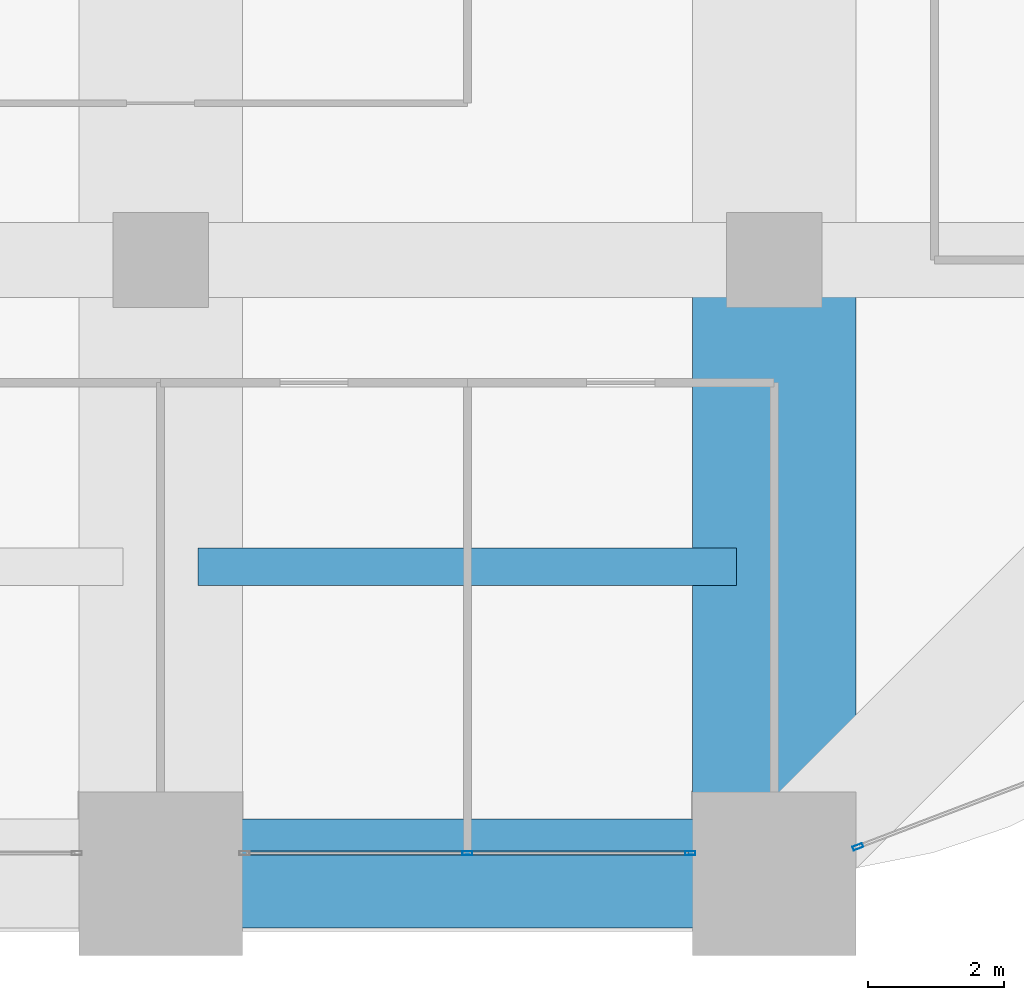
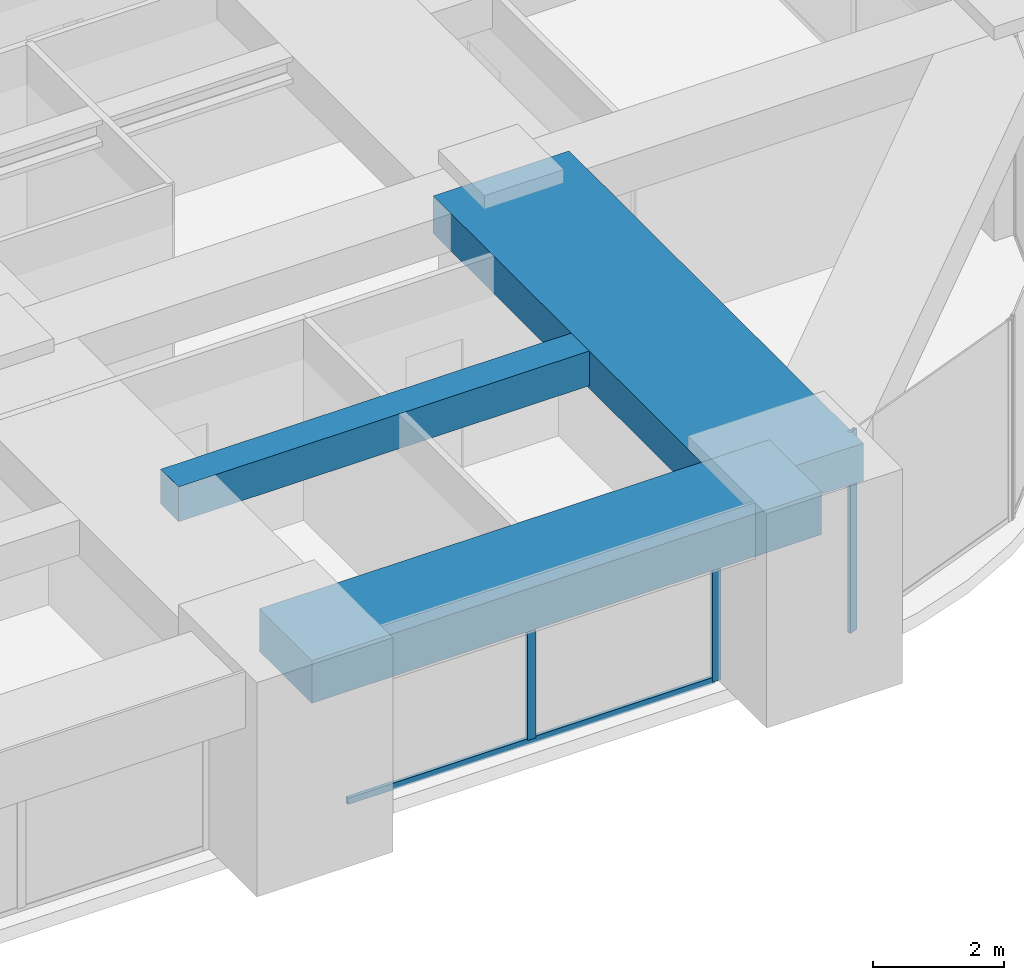
# One storey, part 14 of 35: 4 members, 3 beams, 2 elements without a shape of their own.
"""IFC4 building model written with IfcOpenShell, lengths in metres."""

from ifc_helpers import new_model, si_unit, direction, frame, origin, origin_2d, place, context, subcontext, project, spatial, rectangle, hollow_rectangle, extrude, material, material_profile, profile_set, type_object, element, aggregate, save


model = new_model("IFC4")

# Units and contexts
model_context = context("Model", 3, precision=1e-05, world=origin(), true_north=direction((0.0, 1.0)))
body_context = subcontext(model_context, "Body", "Model", "MODEL_VIEW")
ifc_project = project(units=[si_unit("LENGTHUNIT", "METRE"), si_unit("AREAUNIT", "SQUARE_METRE"), si_unit("VOLUMEUNIT", "CUBIC_METRE"), si_unit("PLANEANGLEUNIT", "RADIAN"), si_unit("MASSUNIT", "GRAM", prefix="KILO")], contexts=[model_context])

# Site, building, storey
site_placement = place(None, origin())
site = spatial("IfcSite", under=ifc_project, at=site_placement, CompositionType="ELEMENT")
building_placement = place(site_placement, origin())
building = spatial("IfcBuilding", under=site, at=building_placement, Name="Zorevar Civic Tower", CompositionType="ELEMENT")
storey_placement = place(building_placement, frame((0.0, 0.0, 222.199951171875)))
storey = spatial("IfcBuildingStorey", under=building, at=storey_placement, Name="L54", CompositionType="ELEMENT", Elevation=222.199951171875)

# Beams
ifc_material_1 = material(Name="Concrete C50/60", Category="concrete")
ifc_material_profile_1 = material_profile(ifc_material_1, rectangle(XDim=2.39990234375, YDim=0.699951171875, at=origin_2d()), Name="RC 2400x700")
ifc_profile_set_1 = profile_set([ifc_material_profile_1], Name="Concrete C50/60")
beam_type_1 = type_object("IfcBeamType", Name="Beam RC 2400x700", PredefinedType="BEAM", material=ifc_profile_set_1)
beam_1_placement = place(storey_placement, frame((45.0, 0.0, 3.400146484375), z_axis=(0.0, 1.0, 0.0), x_axis=(-1.0, 0.0, 0.0)))
element("IfcBeam", 1, at=beam_1_placement, inside=storey, type_object=beam_type_1, Name="Girder L55", PredefinedType="BEAM", context=body_context, shape_type="SweptSolid", body=[
    extrude(rectangle(XDim=2.39990234375, YDim=0.699951171875, at=origin_2d()), origin(), (0.0, 0.0, 1.0), 9.0),
])
ifc_material_2 = material(Name="Concrete C50/60", Category="concrete")
ifc_material_profile_2 = material_profile(ifc_material_2, rectangle(XDim=0.550048828125, YDim=0.64990234375, at=origin_2d()), Name="RC 550x650")
ifc_profile_set_2 = profile_set([ifc_material_profile_2], Name="Concrete C50/60")
beam_type_2 = type_object("IfcBeamType", Name="Beam RC 550x650", PredefinedType="BEAM", material=ifc_profile_set_2)
beam_2_placement = place(storey_placement, frame((36.550048828125, 4.5, 3.425048828125), z_axis=(1.0, 0.0, 0.0), x_axis=(0.0, 1.0, 0.0)))
element("IfcBeam", 2, at=beam_2_placement, inside=storey, type_object=beam_type_2, Name="Secondary beam L55", PredefinedType="BEAM", context=body_context, shape_type="SweptSolid", body=[
    extrude(rectangle(XDim=0.550048828125, YDim=0.64990234375, at=origin_2d()), origin(), (0.0, 0.0, 1.0), 7.89990234375),
])

# Curtain wall, members
ifc_material_3 = material(Name="Dark grey solar-control glass in black aluminium frame", Category="aluminium")
curtain_wall_type = type_object("IfcCurtainWallType", Name="Curtain wall CW4 high zone", PredefinedType="NOTDEFINED", material=ifc_material_3)
curtain_wall_1_placement = place(storey_placement, origin())
curtain_wall_1 = element("IfcCurtainWall", 3, at=curtain_wall_1_placement, inside=storey, type_object=curtain_wall_type, Name="CW4 L54", PredefinedType="NOTDEFINED")
ifc_material_4 = material(Name="Aluminium, black anodised", Category="aluminium")
ifc_material_profile_3 = material_profile(ifc_material_4, hollow_rectangle(XDim=0.06005859375, YDim=0.14990234375, WallThickness=0.00390625, at=origin_2d()), Name="AL 150x60x4")
ifc_profile_set_3 = profile_set([ifc_material_profile_3], Name="Aluminium, black anodised")
member_type_1 = type_object("IfcMemberType", Name="CW4 mullion AL 150x60x4", PredefinedType="MULLION", material=ifc_profile_set_3)
member_1_placement = place(storey_placement, frame((40.5, 0.300048828125, 0.06005859375), z_axis=(0.0, 0.0, 1.0), x_axis=(0.0, 1.0, 0.0)))
member_1 = element("IfcMember", 4, at=member_1_placement, type_object=member_type_1, Name="CW4 mullion 2", PredefinedType="MULLION", context=body_context, shape_type="SweptSolid", body=[
    extrude(hollow_rectangle(XDim=0.06005859375, YDim=0.14990234375, WallThickness=0.00390625, at=origin_2d()), origin(), (0.0, 0.0, 1.0), 2.889892578125),
])
member_2_placement = place(storey_placement, frame((43.77001953125, 0.300048828125, 0.0), z_axis=(0.0, 0.0, 1.0), x_axis=(0.0, 1.0, 0.0)))
member_2 = element("IfcMember", 5, at=member_2_placement, type_object=member_type_1, Name="CW4 mullion 3", PredefinedType="MULLION", context=body_context, shape_type="SweptSolid", body=[
    extrude(hollow_rectangle(XDim=0.06005859375, YDim=0.14990234375, WallThickness=0.00390625, at=origin_2d()), origin(), (0.0, 0.0, 1.0), 2.949951171875),
])

# Curtain wall, member
curtain_wall_2_placement = place(storey_placement, origin())
curtain_wall_2 = element("IfcCurtainWall", 6, at=curtain_wall_2_placement, inside=storey, type_object=curtain_wall_type, Name="CW4 L54", PredefinedType="NOTDEFINED")
member_3_placement = place(storey_placement, frame((46.22802734375, 0.393798828125, 0.0), z_axis=(0.0, 0.0, 1.0), x_axis=(-0.355730895803, 0.93458842801, 0.0)))
member_3 = element("IfcMember", 7, at=member_3_placement, type_object=member_type_1, Name="CW4 mullion 1", PredefinedType="MULLION", context=body_context, shape_type="SweptSolid", body=[
    extrude(hollow_rectangle(XDim=0.06005859375, YDim=0.14990234375, WallThickness=0.00390625, at=origin_2d()), origin(), (0.0, 0.0, 1.0), 3.75),
])
aggregate(curtain_wall_2, [member_3])

# Member
ifc_material_5 = material(Name="Aluminium, black anodised", Category="aluminium")
ifc_material_profile_4 = material_profile(ifc_material_5, hollow_rectangle(XDim=0.06005859375, YDim=0.1201171875, WallThickness=0.0029296875, at=origin_2d()), Name="AL 120x60x3")
ifc_profile_set_4 = profile_set([ifc_material_profile_4], Name="Aluminium, black anodised")
member_type_2 = type_object("IfcMemberType", Name="CW4 transom AL 120x60x3", PredefinedType="USERDEFINED", material=ifc_profile_set_4)
member_4_placement = place(storey_placement, frame((37.260009765625, 0.300048828125, 0.030029296875), z_axis=(1.0, 0.0, 0.0), x_axis=(0.0, 1.0, 0.0)))
member_4 = element("IfcMember", 8, at=member_4_placement, type_object=member_type_2, Name="CW4 sill transom", ObjectType="TRANSOM", PredefinedType="USERDEFINED", context=body_context, shape_type="SweptSolid", body=[
    extrude(hollow_rectangle(XDim=0.06005859375, YDim=0.1201171875, WallThickness=0.0029296875, at=origin_2d()), origin(), (0.0, 0.0, 1.0), 6.47998046875),
])

aggregate(curtain_wall_1, [member_1, member_2, member_4])

# Beam
ifc_material_6 = material(Name="Concrete C50/60", Category="concrete")
ifc_material_profile_5 = material_profile(ifc_material_6, rectangle(XDim=1.60009765625, YDim=0.800048828125, at=origin_2d()), Name="RC 1600x800")
ifc_profile_set_5 = profile_set([ifc_material_profile_5], Name="Concrete C50/60")
beam_type_3 = type_object("IfcBeamType", Name="Edge beam RC 1600x800", PredefinedType="SPANDREL", material=ifc_profile_set_5)
beam_3_placement = place(storey_placement, frame((36.0, 0.0, 3.35009765625), z_axis=(1.0, 0.0, 0.0), x_axis=(0.0, 1.0, 0.0)))
element("IfcBeam", 9, at=beam_3_placement, inside=storey, type_object=beam_type_3, Name="Edge beam L55", PredefinedType="SPANDREL", context=body_context, shape_type="SweptSolid", body=[
    extrude(rectangle(XDim=1.60009765625, YDim=0.800048828125, at=origin_2d()), origin(), (0.0, 0.0, 1.0), 9.0),
])

save(model, "model.ifc")
